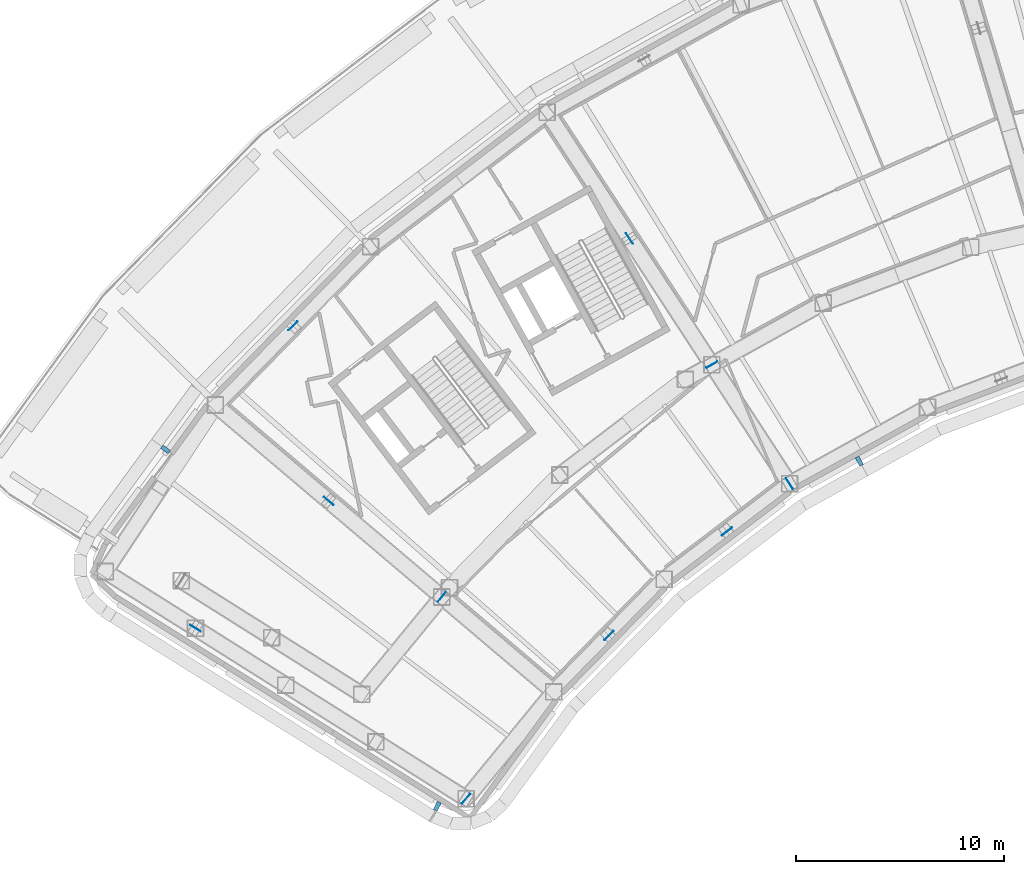
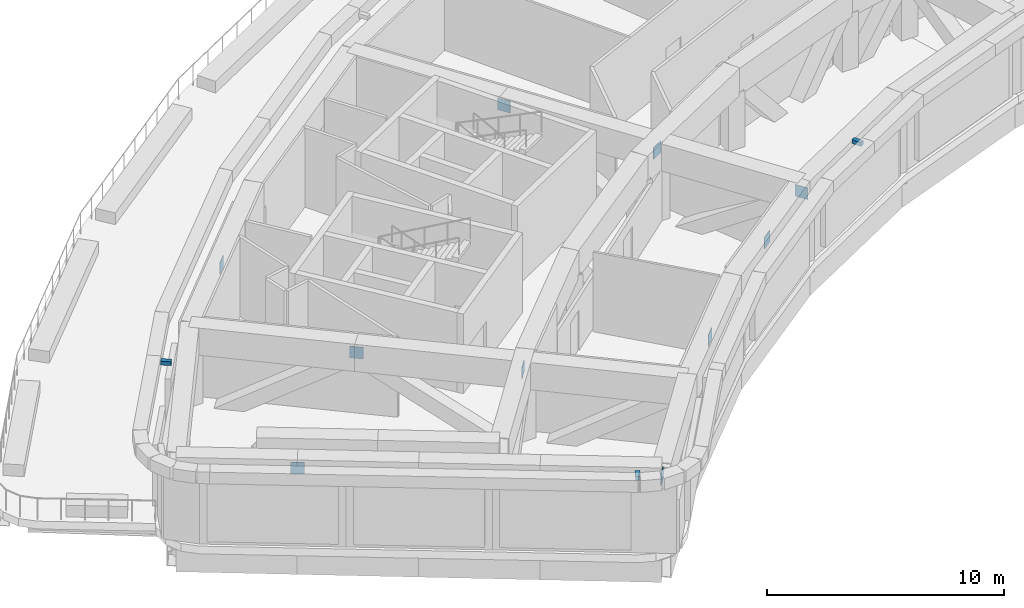
# One storey, part 15 of 24: 13 discrete accessories.
"""IFC4 building model written with IfcOpenShell, lengths in metres."""

from ifc_helpers import new_model, si_unit, direction, frame, origin, origin_2d, place, context, subcontext, project, spatial, rectangle, extrude, material, type_object, element, save


model = new_model("IFC4")

# Units and contexts
model_context = context("Model", 3, precision=1e-05, world=origin(), true_north=direction((0.0, 1.0)))
body_context = subcontext(model_context, "Body", "Model", "MODEL_VIEW")
ifc_project = project(units=[si_unit("LENGTHUNIT", "METRE"), si_unit("AREAUNIT", "SQUARE_METRE"), si_unit("VOLUMEUNIT", "CUBIC_METRE"), si_unit("PLANEANGLEUNIT", "RADIAN"), si_unit("MASSUNIT", "GRAM", prefix="KILO")], contexts=[model_context])

# Site, building, storey
site_placement = place(None, origin())
site = spatial("IfcSite", under=ifc_project, at=site_placement, CompositionType="ELEMENT")
building_placement = place(site_placement, origin())
building = spatial("IfcBuilding", under=site, at=building_placement, Name="Tuul Gate Civic Tower", CompositionType="ELEMENT")
storey_placement = place(building_placement, frame((0.0, 0.0, 94.800048828125)))
storey = spatial("IfcBuildingStorey", under=building, at=storey_placement, Name="Plant and refuge floor 3", CompositionType="ELEMENT", Elevation=94.800048828125)

# Discrete accessories
ifc_material_1 = material(Name="Steel S355", Category="steel")
discrete_accessory_type_1 = type_object("IfcDiscreteAccessoryType", Name="Gusset plate", PredefinedType="BRACKET", material=ifc_material_1)
for number, where, z_axis, x_axis, name in (
    (1, (-26.606689453125, -4.412109375, 3.1025390625), (0.0, 0.0, 1.0), (-0.546721915066, 0.837314246616, 0.0), "Gusset plate"),
    (2, (-18.898193359375, -16.220458984375, 3.103271484375), (0.0, 0.0, 1.0), (-0.546721915066, 0.837314246616, 0.0), "Gusset plate"),
    (3, (-41.0927734375, -17.048828125, 3.1025390625), (0.0, 0.0, 1.0), (-0.76282474496, 0.646605295738, 0.0), "Gusset plate"),
    (4, (-42.805908203125, -8.616455078125, 3.10302734375), (0.0, 0.0, 1.0), (0.700000236809, 0.714142610735, 0.0), "Gusset plate"),
    (5, (-21.91796875, -18.517578125, 3.103759765625), (0.0, 0.0, 1.0), (-0.795616135693, -0.605801093284, 0.0), "Gusset plate"),
    (6, (-22.640380859375, -10.48876953125, 3.103759765625), (0.0, 0.0, 1.0), (-0.874653897983, -0.484747933201, 0.0), "Gusset plate"),
    (7, (-27.594970703125, -23.527587890625, 3.103759765625), (0.0, 0.0, 1.0), (-0.700023993072, -0.714119324149, 0.0), "Gusset plate"),
    (8, (-34.4716796875, -31.382568359375, 3.10302734375), (0.0, 0.0, 1.0), (0.634399544235, 0.773005315813, 0.0), "Gusset plate"),
    (9, (-35.6416015625, -21.667236328125, 3.103759765625), (0.0, 0.0, 1.0), (-0.634399544235, -0.773005315813, 0.0), "Gusset plate"),
    (10, (-47.5, -23.176025390625, 3.103271484375), (0.0, 0.0, 1.0), (0.846187288195, -0.532885609956, 0.0), "Gusset plate"),
):
    element("IfcDiscreteAccessory", number, at=place(storey_placement, frame(where, z_axis=z_axis, x_axis=x_axis)), inside=storey, type_object=discrete_accessory_type_1, Name=name, PredefinedType="BRACKET", context=body_context, shape_type="SweptSolid", body=[
        extrude(rectangle(XDim=0.60009765625, YDim=0.030029296875, at=origin_2d()), origin(), (0.0, 0.0, 1.0), 0.60009765625),
    ])
ifc_material_2 = material(Name="Stainless steel", Category="steel")
discrete_accessory_type_2 = type_object("IfcDiscreteAccessoryType", Name="Screen bracket", PredefinedType="BRACKET", material=ifc_material_2)
discrete_accessory_1_placement = place(storey_placement, frame((-48.939697265625, -14.56640625, 4.0498046875), z_axis=(0.0, 0.0, 1.0), x_axis=(-0.803053630356, 0.595906760133, 0.0)))
element("IfcDiscreteAccessory", 11, at=discrete_accessory_1_placement, inside=storey, type_object=discrete_accessory_type_2, Name="Screen bracket 16", PredefinedType="BRACKET", context=body_context, shape_type="SweptSolid", body=[
    extrude(rectangle(XDim=0.449951171875, YDim=0.199951171875, at=origin_2d()), origin(), (0.0, 0.0, 1.0), 0.199951171875),
])
discrete_accessory_2_placement = place(storey_placement, frame((-35.86328125, -31.74853515625, 4.0498046875), z_axis=(0.0, 0.0, 1.0), x_axis=(-0.448835572436, -0.893614362528, 0.0)))
element("IfcDiscreteAccessory", 12, at=discrete_accessory_2_placement, inside=storey, type_object=discrete_accessory_type_2, Name="Screen bracket 19", PredefinedType="BRACKET", context=body_context, shape_type="SweptSolid", body=[
    extrude(rectangle(XDim=0.451904296875, YDim=0.199951171875, at=origin_2d()), origin(), (0.0, 0.0, 1.0), 0.199951171875),
])
discrete_accessory_3_placement = place(storey_placement, frame((-15.542236328125, -15.12890625, 4.0498046875), z_axis=(0.0, 0.0, 1.0), x_axis=(0.490452082863, -0.8714681603, 0.0)))
element("IfcDiscreteAccessory", 13, at=discrete_accessory_3_placement, inside=storey, type_object=discrete_accessory_type_2, Name="Screen bracket 22", PredefinedType="BRACKET", context=body_context, shape_type="SweptSolid", body=[
    extrude(rectangle(XDim=0.449951171875, YDim=0.199951171875, at=origin_2d()), origin(), (0.0, 0.0, 1.0), 0.199951171875),
])

save(model, "model.ifc")
